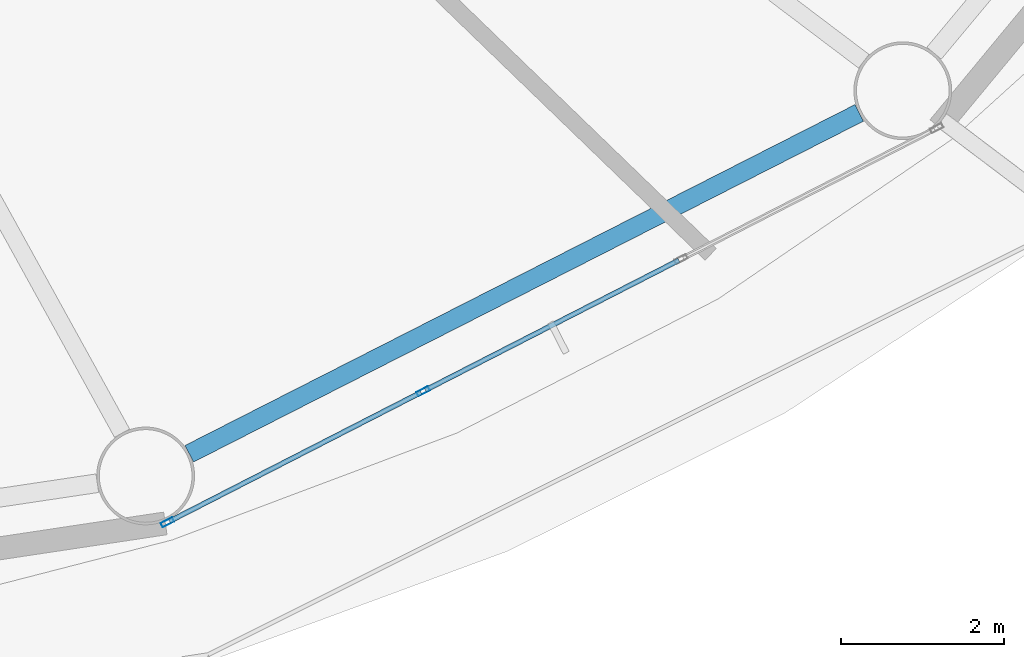
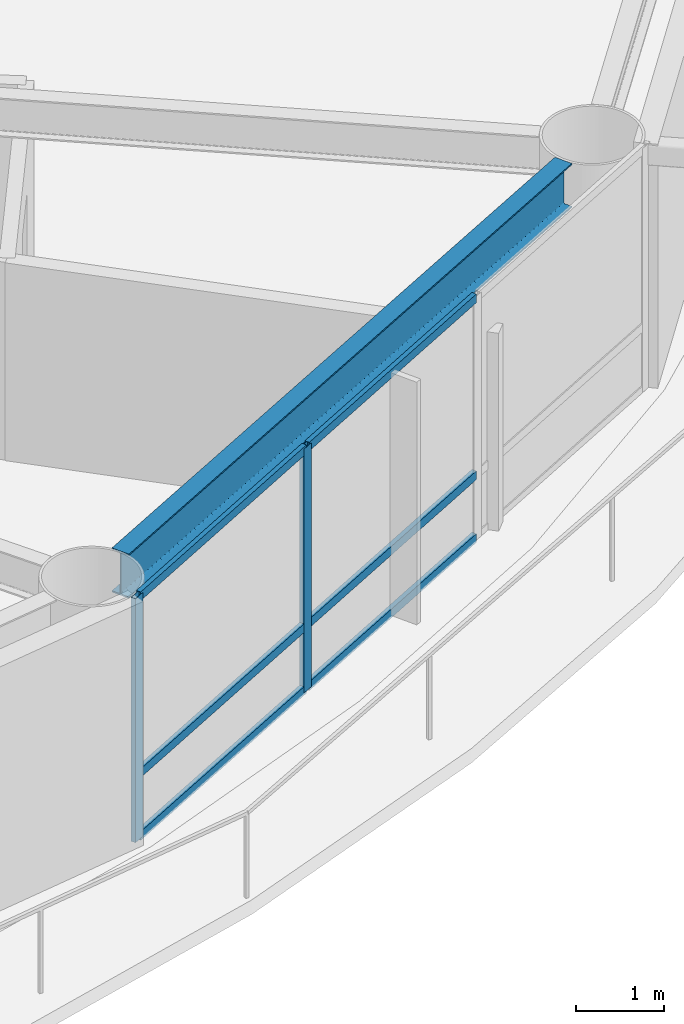
# One storey, part 4 of 24: 8 members, 1 beam, 1 element without a shape of its own.
"""IFC4 building model written with IfcOpenShell, lengths in metres."""

from ifc_helpers import new_model, si_unit, direction, frame, origin, origin_2d, place, context, subcontext, project, spatial, hollow_rectangle, i_section, extrude, material, layer, layer_set, material_profile, profile_set, type_object, element, aggregate, save


model = new_model("IFC4")

# Units and contexts
model_context = context("Model", 3, precision=1e-05, world=origin(), true_north=direction((0.0, 1.0)))
body_context = subcontext(model_context, "Body", "Model", "MODEL_VIEW")
ifc_project = project(units=[si_unit("LENGTHUNIT", "METRE"), si_unit("AREAUNIT", "SQUARE_METRE"), si_unit("VOLUMEUNIT", "CUBIC_METRE"), si_unit("PLANEANGLEUNIT", "RADIAN"), si_unit("MASSUNIT", "GRAM", prefix="KILO")], contexts=[model_context])

# Site, building, storey
site_placement = place(None, origin())
site = spatial("IfcSite", under=ifc_project, at=site_placement, CompositionType="ELEMENT")
building_placement = place(site_placement, origin())
building = spatial("IfcBuilding", under=site, at=building_placement, Name="Sarneth Arch Tower", CompositionType="ELEMENT")
storey_placement = place(building_placement, frame((0.0, 0.0, 94.800048828125)))
storey = spatial("IfcBuildingStorey", under=building, at=storey_placement, Name="L23", CompositionType="ELEMENT", Elevation=94.800048828125)

# Beam
ifc_material_1 = material(Name="Steel S355", Category="steel")
ifc_material_profile_1 = material_profile(ifc_material_1, i_section(OverallWidth=0.22900390625, OverallDepth=0.612060546875, WebThickness=0.011962890625, FlangeThickness=0.01953125, FilletRadius=0.01904296875, at=origin_2d()), Name="W610x125")
ifc_profile_set_1 = profile_set([ifc_material_profile_1], Name="Steel S355")
beam_type = type_object("IfcBeamType", Name="BM-SPAN-610C", PredefinedType="SPANDREL", material=ifc_profile_set_1)
beam_placement = place(storey_placement, frame((59.64501953125, 22.131591796875, 3.073974609375), z_axis=(0.891259443414, 0.453493775619, 0.0), x_axis=(-0.453493775619, 0.891259443414, 0.0)))
element("IfcBeam", 1, at=beam_placement, inside=storey, type_object=beam_type, Name="L23 Perimeter spandrel beam 14", PredefinedType="SPANDREL", context=body_context, shape_type="SweptSolid", body=[
    extrude(i_section(OverallWidth=0.22900390625, OverallDepth=0.612060546875, WebThickness=0.011962890625, FlangeThickness=0.01953125, FilletRadius=0.01904296875, at=origin_2d()), origin(), (0.0, 0.0, 1.0), 9.220458984375),
])

# Curtain wall, members
ifc_material_2 = material(Name="Anodised aluminium Type AA25 and solar-control low-e laminated IGU", Category="aluminium")
ifc_layer = layer(ifc_material_2, 0.159912109375)
ifc_layer_set = layer_set([ifc_layer], Name="Anodised aluminium Type AA25 and solar-control low-e laminated IGU")
curtain_wall_type = type_object("IfcCurtainWallType", Name="CW-HOTEL-MID", PredefinedType="NOTDEFINED", material=ifc_layer_set)
curtain_wall_placement = place(storey_placement, origin())
curtain_wall = element("IfcCurtainWall", 2, at=curtain_wall_placement, inside=storey, type_object=curtain_wall_type, Name="L23 Unitised curtain wall facet 14", PredefinedType="NOTDEFINED")
ifc_material_3 = material(Name="Anodised Aluminium 6063-T6", Category="aluminium")
ifc_material_profile_2 = material_profile(ifc_material_3, hollow_rectangle(XDim=0.06005859375, YDim=0.159912109375, WallThickness=0.00390625, at=origin_2d()), Name="AL-MULL-160x60x4")
ifc_profile_set_2 = profile_set([ifc_material_profile_2], Name="Anodised Aluminium 6063-T6")
member_type_1 = type_object("IfcMemberType", Name="CW-MULLION", PredefinedType="MULLION", material=ifc_profile_set_2)
member_1_placement = place(storey_placement, frame((59.3779296875, 21.291015625, 0.0), z_axis=(0.0, 0.0, 1.0), x_axis=(-0.456031365356, 0.889963703649, 0.0)))
member_1 = element("IfcMember", 3, at=member_1_placement, type_object=member_type_1, Name="CW-SYS-4 mullion 1", PredefinedType="MULLION", context=body_context, shape_type="SweptSolid", body=[
    extrude(hollow_rectangle(XDim=0.06005859375, YDim=0.159912109375, WallThickness=0.00390625, at=origin_2d()), origin(), (0.0, 0.0, 1.0), 3.3798828125),
])
member_2_placement = place(storey_placement, frame((62.51416015625, 22.898193359375, 0.0), z_axis=(0.0, 0.0, 1.0), x_axis=(-0.456031365356, 0.889963703649, 0.0)))
member_2 = element("IfcMember", 4, at=member_2_placement, type_object=member_type_1, Name="CW-SYS-4 mullion 2", PredefinedType="MULLION", context=body_context, shape_type="SweptSolid", body=[
    extrude(hollow_rectangle(XDim=0.06005859375, YDim=0.159912109375, WallThickness=0.00390625, at=origin_2d()), origin(), (0.0, 0.0, 1.0), 3.3798828125),
])
ifc_material_4 = material(Name="Anodised Aluminium 6063-T6", Category="aluminium")
ifc_material_profile_3 = material_profile(ifc_material_4, hollow_rectangle(XDim=0.06005859375, YDim=0.1201171875, WallThickness=0.00390625, at=origin_2d()), Name="AL-TRAN-120x60x4")
ifc_profile_set_3 = profile_set([ifc_material_profile_3], Name="Anodised Aluminium 6063-T6")
member_type_2 = type_object("IfcMemberType", Name="CW-TRANSOM", PredefinedType="USERDEFINED", material=ifc_profile_set_3)
member_3_placement = place(storey_placement, frame((59.404541015625, 21.3046875, 0.030029296875), z_axis=(0.889957563627, 0.456043347658, 0.0), x_axis=(-0.456043347658, 0.889957563627, 0.0)))
member_3 = element("IfcMember", 5, at=member_3_placement, type_object=member_type_2, Name="CW-SYS-4 transom 1.1", ObjectType="TRANSOM", PredefinedType="USERDEFINED", context=body_context, shape_type="SweptSolid", body=[
    extrude(hollow_rectangle(XDim=0.06005859375, YDim=0.1201171875, WallThickness=0.00390625, at=origin_2d()), origin(), (0.0, 0.0, 1.0), 3.464111328125),
])
member_4_placement = place(storey_placement, frame((59.404541015625, 21.3046875, 0.89990234375), z_axis=(0.889957563627, 0.456043347658, 0.0), x_axis=(-0.456043347658, 0.889957563627, 0.0)))
member_4 = element("IfcMember", 6, at=member_4_placement, type_object=member_type_2, Name="CW-SYS-4 transom 1.2", ObjectType="TRANSOM", PredefinedType="USERDEFINED", context=body_context, shape_type="SweptSolid", body=[
    extrude(hollow_rectangle(XDim=0.06005859375, YDim=0.1201171875, WallThickness=0.00390625, at=origin_2d()), origin(), (0.0, 0.0, 1.0), 3.464111328125),
])
member_5_placement = place(storey_placement, frame((59.404541015625, 21.3046875, 3.349853515625), z_axis=(0.889957563627, 0.456043347658, 0.0), x_axis=(-0.456043347658, 0.889957563627, 0.0)))
member_5 = element("IfcMember", 7, at=member_5_placement, type_object=member_type_2, Name="CW-SYS-4 transom 1.3", ObjectType="TRANSOM", PredefinedType="USERDEFINED", context=body_context, shape_type="SweptSolid", body=[
    extrude(hollow_rectangle(XDim=0.06005859375, YDim=0.1201171875, WallThickness=0.00390625, at=origin_2d()), origin(), (0.0, 0.0, 1.0), 3.464111328125),
])
member_6_placement = place(storey_placement, frame((62.540771484375, 22.911865234375, 0.030029296875), z_axis=(0.889981813856, 0.455996020823, 0.0), x_axis=(-0.455996020823, 0.889981813856, 0.0)))
member_6 = element("IfcMember", 8, at=member_6_placement, type_object=member_type_2, Name="CW-SYS-4 transom 2.1", ObjectType="TRANSOM", PredefinedType="USERDEFINED", context=body_context, shape_type="SweptSolid", body=[
    extrude(hollow_rectangle(XDim=0.06005859375, YDim=0.1201171875, WallThickness=0.00390625, at=origin_2d()), origin(), (0.0, 0.0, 1.0), 3.494140625),
])
member_7_placement = place(storey_placement, frame((62.540771484375, 22.911865234375, 0.89990234375), z_axis=(0.889981813856, 0.455996020823, 0.0), x_axis=(-0.455996020823, 0.889981813856, 0.0)))
member_7 = element("IfcMember", 9, at=member_7_placement, type_object=member_type_2, Name="CW-SYS-4 transom 2.2", ObjectType="TRANSOM", PredefinedType="USERDEFINED", context=body_context, shape_type="SweptSolid", body=[
    extrude(hollow_rectangle(XDim=0.06005859375, YDim=0.1201171875, WallThickness=0.00390625, at=origin_2d()), origin(), (0.0, 0.0, 1.0), 3.494140625),
])
member_8_placement = place(storey_placement, frame((62.540771484375, 22.911865234375, 3.349853515625), z_axis=(0.889981813856, 0.455996020823, 0.0), x_axis=(-0.455996020823, 0.889981813856, 0.0)))
member_8 = element("IfcMember", 10, at=member_8_placement, type_object=member_type_2, Name="CW-SYS-4 transom 2.3", ObjectType="TRANSOM", PredefinedType="USERDEFINED", context=body_context, shape_type="SweptSolid", body=[
    extrude(hollow_rectangle(XDim=0.06005859375, YDim=0.1201171875, WallThickness=0.00390625, at=origin_2d()), origin(), (0.0, 0.0, 1.0), 3.494140625),
])
aggregate(curtain_wall, [member_1, member_2, member_3, member_4, member_5, member_6, member_7, member_8])

save(model, "model.ifc")
